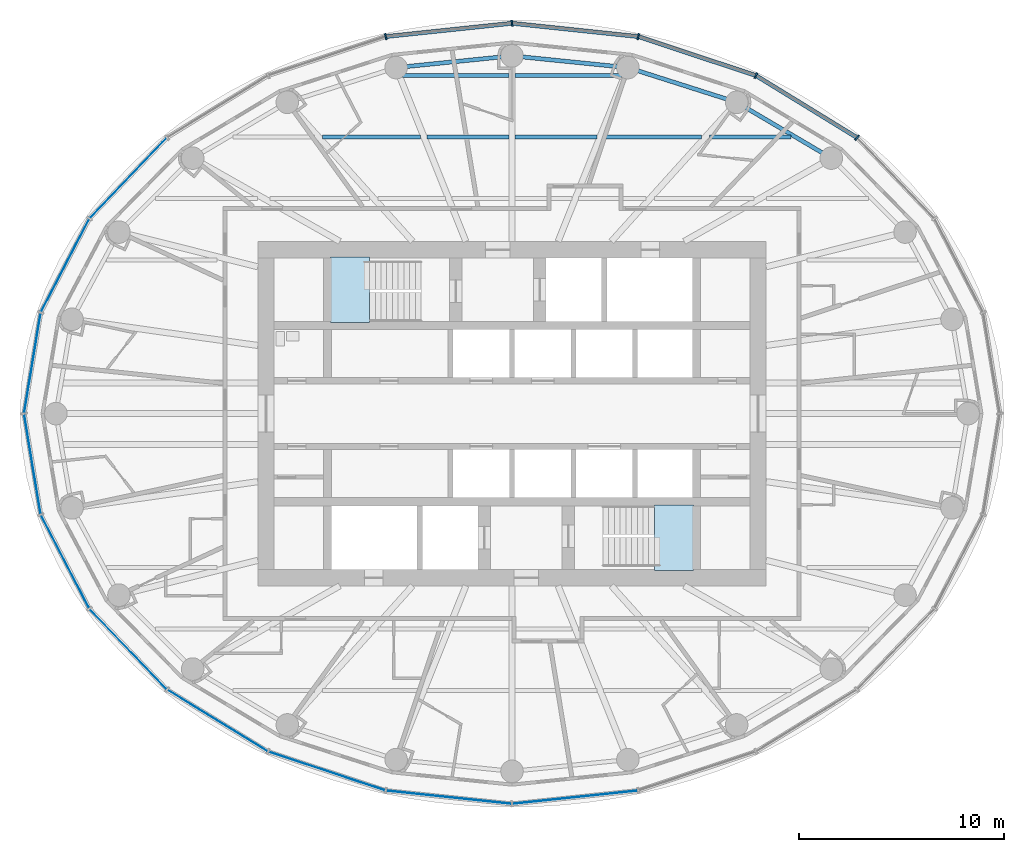
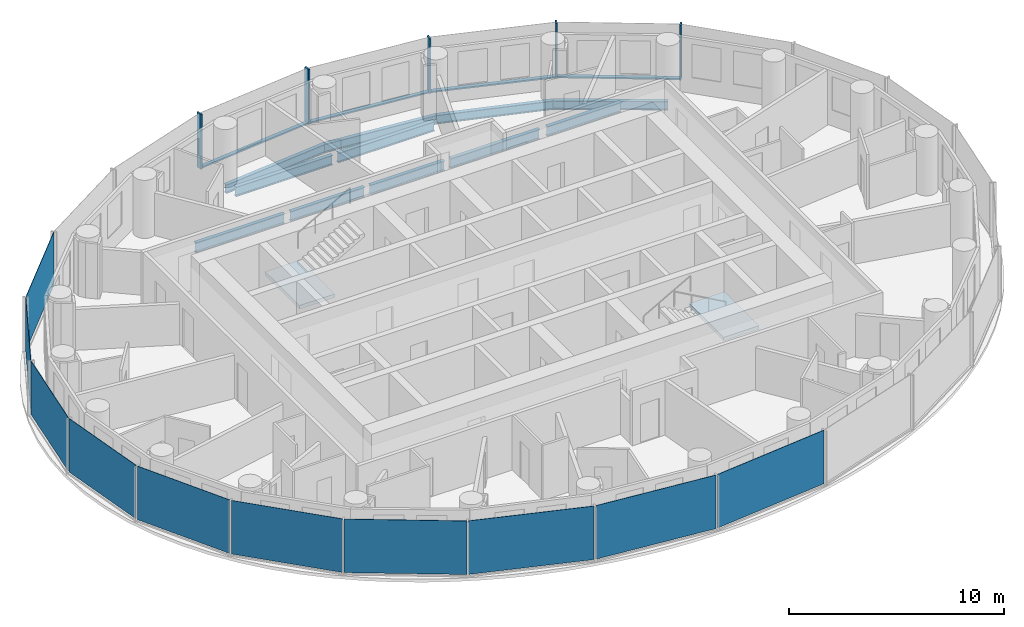
# One storey, part 4 of 14: 11 beams, 10 plates, 9 members, 2 slabs, 6 elements without a shape of their own.
"""IFC4 building model written with IfcOpenShell, lengths in metres."""

from ifc_helpers import new_model, si_unit, direction, frame, origin, origin_2d, place, context, subcontext, project, spatial, polyline, rectangle, i_section, outline, extrude, material, layer, layer_set, material_profile, profile_set, type_object, element, aggregate, save


model = new_model("IFC4")

# Units and contexts
model_context = context("Model", 3, precision=1e-05, world=origin(), true_north=direction((0.0, 1.0)))
body_context = subcontext(model_context, "Body", "Model", "MODEL_VIEW")
ifc_project = project(units=[si_unit("LENGTHUNIT", "METRE"), si_unit("AREAUNIT", "SQUARE_METRE"), si_unit("VOLUMEUNIT", "CUBIC_METRE"), si_unit("PLANEANGLEUNIT", "RADIAN"), si_unit("MASSUNIT", "GRAM", prefix="KILO")], contexts=[model_context])

# Site, building, storey
site_placement = place(None, origin())
site = spatial("IfcSite", under=ifc_project, at=site_placement, CompositionType="ELEMENT")
building_placement = place(site_placement, origin())
building = spatial("IfcBuilding", under=site, at=building_placement, Name="Hankou Lantern Tower", CompositionType="ELEMENT")
storey_placement = place(building_placement, frame((0.0, 0.0, 176.39990234375)))
storey = spatial("IfcBuildingStorey", under=building, at=storey_placement, Name="L47", CompositionType="ELEMENT", Elevation=176.39990234375)

# Beams
ifc_material_1 = material(Name="Steel Q355B", Category="steel")
ifc_material_profile_1 = material_profile(ifc_material_1, i_section(OverallWidth=0.199951171875, OverallDepth=0.5, WebThickness=0.010009765625, FlangeThickness=0.01611328125, FilletRadius=0.012939453125, at=origin_2d()), Name="HN500x200x10x16")
ifc_profile_set_1 = profile_set([ifc_material_profile_1], Name="Steel Q355B")
beam_type_1 = type_object("IfcBeamType", Name="EB5 RING BEAM HN500x200x10x16", PredefinedType="SPANDREL", material=ifc_profile_set_1)
beam_1_placement = place(storey_placement, frame((15.576171875, 12.4609375, -0.429931640625), z_axis=(-0.861135888339, 0.508374843806, 0.0), x_axis=(-0.508374843806, -0.861135888339, 0.0)))
element("IfcBeam", 1, at=beam_1_placement, inside=storey, type_object=beam_type_1, Name="Ring beam R04-R05 L47", PredefinedType="SPANDREL", context=body_context, shape_type="SweptSolid", body=[
    extrude(i_section(OverallWidth=0.199951171875, OverallDepth=0.5, WebThickness=0.010009765625, FlangeThickness=0.01611328125, FilletRadius=0.012939453125, at=origin_2d()), origin(), (0.0, 0.0, 1.0), 5.36083984375),
])
beam_2_placement = place(storey_placement, frame((10.959716796875, 15.186279296875, -0.429931640625), z_axis=(-0.952790404271, 0.30362879562, 0.0), x_axis=(-0.30362879562, -0.952790404271, 0.0)))
element("IfcBeam", 2, at=beam_2_placement, inside=storey, type_object=beam_type_1, Name="Ring beam R05-R06 L47", PredefinedType="SPANDREL", context=body_context, shape_type="SweptSolid", body=[
    extrude(i_section(OverallWidth=0.199951171875, OverallDepth=0.5, WebThickness=0.010009765625, FlangeThickness=0.01611328125, FilletRadius=0.012939453125, at=origin_2d()), origin(), (0.0, 0.0, 1.0), 5.56982421875),
])
for number, where, z_axis, x_axis, name in (
    (3, (5.65283203125, 16.87744140625, -0.429931640625), (-0.9949104636, 0.100762936734, 0.0), (-0.100762936734, -0.9949104636, 0.0), "Ring beam R06-R07 L47"),
    (4, (0.0, 17.449951171875, -0.429931640625), (-0.9949104636, -0.100762936734, 0.0), (0.100762936734, -0.9949104636, 0.0), "Ring beam R07-R08 L47"),
):
    element("IfcBeam", number, at=place(storey_placement, frame(where, z_axis=z_axis, x_axis=x_axis)), inside=storey, type_object=beam_type_1, Name=name, PredefinedType="SPANDREL", context=body_context, shape_type="SweptSolid", body=[
        extrude(i_section(OverallWidth=0.199951171875, OverallDepth=0.5, WebThickness=0.010009765625, FlangeThickness=0.01611328125, FilletRadius=0.012939453125, at=origin_2d()), origin(), (0.0, 0.0, 1.0), 5.681640625),
    ])

# Curtain wall, members
ifc_material_2 = material(Name="Glass, dark grey tinted laminated", Category="glass")
curtain_wall_type = type_object("IfcCurtainWallType", Name="CWC OUTER SKIN HIGH-RISE", PredefinedType="USERDEFINED", material=ifc_material_2)
curtain_wall_1_placement = place(storey_placement, origin())
curtain_wall_1 = element("IfcCurtainWall", 5, at=curtain_wall_1_placement, inside=storey, type_object=curtain_wall_type, Name="CWC L47 OS1", ObjectType="OUTER SKIN HIGH-RISE", PredefinedType="USERDEFINED")
ifc_material_3 = material(Name="Aluminium, black anodised", Category="aluminium")
ifc_material_profile_2 = material_profile(ifc_material_3, rectangle(XDim=0.080078125, YDim=0.300048828125, at=origin_2d()), Name="MU1 80X300")
ifc_profile_set_2 = profile_set([ifc_material_profile_2], Name="Aluminium, black anodised")
member_type_1 = type_object("IfcMemberType", Name="MU1 OUTER SKIN MULLION 80X300", PredefinedType="MULLION", material=ifc_profile_set_2)
member_1_placement = place(storey_placement, frame((16.8291015625, 13.46337890625, 0.0), z_axis=(0.0, 0.0, 1.0), x_axis=(-0.780868809444, 0.624695047553, 0.0)))
member_1 = element("IfcMember", 6, at=member_1_placement, type_object=member_type_1, Name="CWC mullion 4", PredefinedType="MULLION", context=body_context, shape_type="SweptSolid", body=[
    extrude(rectangle(XDim=0.080078125, YDim=0.300048828125, at=origin_2d()), origin(), (0.0, 0.0, 1.0), 3.1201171875),
])
member_2_placement = place(storey_placement, frame((11.89990234375, 16.489013671875, 0.0), z_axis=(0.0, 0.0, 1.0), x_axis=(-0.907841299004, 0.419313934686, 0.0)))
member_2 = element("IfcMember", 7, at=member_2_placement, type_object=member_type_1, Name="CWC mullion 5", PredefinedType="MULLION", context=body_context, shape_type="SweptSolid", body=[
    extrude(rectangle(XDim=0.080078125, YDim=0.300048828125, at=origin_2d()), origin(), (0.0, 0.0, 1.0), 3.1201171875),
])
member_3_placement = place(storey_placement, frame((6.159912109375, 18.39111328125, 0.0), z_axis=(0.0, 0.0, 1.0), x_axis=(-0.977787659625, 0.209597931016, 0.0)))
member_3 = element("IfcMember", 8, at=member_3_placement, type_object=member_type_1, Name="CWC mullion 6", PredefinedType="MULLION", context=body_context, shape_type="SweptSolid", body=[
    extrude(rectangle(XDim=0.080078125, YDim=0.300048828125, at=origin_2d()), origin(), (0.0, 0.0, 1.0), 3.1201171875),
])

curtain_wall_2_placement = place(storey_placement, origin())
curtain_wall_2 = element("IfcCurtainWall", 9, at=curtain_wall_2_placement, inside=storey, type_object=curtain_wall_type, Name="CWC L47 OS2", ObjectType="OUTER SKIN HIGH-RISE", PredefinedType="USERDEFINED")
member_4_placement = place(storey_placement, frame((0.0, 19.0400390625, 0.0), z_axis=(0.0, 0.0, 1.0), x_axis=(-0.994499359107, -0.104742659579, 0.0)))
member_4 = element("IfcMember", 10, at=member_4_placement, type_object=member_type_1, Name="CWC mullion 1", PredefinedType="MULLION", context=body_context, shape_type="SweptSolid", body=[
    extrude(rectangle(XDim=0.080078125, YDim=0.300048828125, at=origin_2d()), origin(), (0.0, 0.0, 1.0), 3.1201171875),
])
member_5_placement = place(storey_placement, frame((-6.159912109375, 18.39111328125, 0.0), z_axis=(0.0, 0.0, 1.0), x_axis=(-0.977787659625, -0.209597931016, 0.0)))
member_5 = element("IfcMember", 11, at=member_5_placement, type_object=member_type_1, Name="CWC mullion 2", PredefinedType="MULLION", context=body_context, shape_type="SweptSolid", body=[
    extrude(rectangle(XDim=0.080078125, YDim=0.300048828125, at=origin_2d()), origin(), (0.0, 0.0, 1.0), 3.1201171875),
])

# Beams
ifc_material_4 = material(Name="Steel Q355B", Category="steel")
ifc_material_profile_3 = material_profile(ifc_material_4, i_section(OverallWidth=0.199951171875, OverallDepth=0.550048828125, WebThickness=0.010009765625, FlangeThickness=0.01611328125, FilletRadius=0.012939453125, at=origin_2d()), Name="HN550x200x10x16")
ifc_profile_set_3 = profile_set([ifc_material_profile_3], Name="Steel Q355B")
beam_type_2 = type_object("IfcBeamType", Name="SB6 SECONDARY BEAM HN550x200x10x16", PredefinedType="JOIST", material=ifc_profile_set_3)
beam_3_placement = place(storey_placement, frame((-9.23974609375, 13.5, -0.454833984375), z_axis=(1.0, 0.0, 0.0), x_axis=(0.0, 1.0, 0.0)))
element("IfcBeam", 12, at=beam_3_placement, inside=storey, type_object=beam_type_2, Name="Floor joist J036 L47", PredefinedType="JOIST", context=body_context, shape_type="SweptSolid", body=[
    extrude(i_section(OverallWidth=0.199951171875, OverallDepth=0.550048828125, WebThickness=0.010009765625, FlangeThickness=0.01611328125, FilletRadius=0.012939453125, at=origin_2d()), origin(), (0.0, 0.0, 1.0), 4.780517578125),
])
for number, where, z_axis, x_axis, name in (
    (13, (-4.135986328125, 13.5, -0.454833984375), (1.0, 0.0, 0.0), (0.0, 1.0, 0.0), "Floor joist J037 L47"),
    (14, (0.14990234375, 13.5, -0.454833984375), (1.0, 0.0, 0.0), (0.0, 1.0, 0.0), "Floor joist J038 L47"),
):
    element("IfcBeam", number, at=place(storey_placement, frame(where, z_axis=z_axis, x_axis=x_axis)), inside=storey, type_object=beam_type_2, Name=name, PredefinedType="JOIST", context=body_context, shape_type="SweptSolid", body=[
        extrude(i_section(OverallWidth=0.199951171875, OverallDepth=0.550048828125, WebThickness=0.010009765625, FlangeThickness=0.01611328125, FilletRadius=0.012939453125, at=origin_2d()), origin(), (0.0, 0.0, 1.0), 3.986083984375),
    ])
beam_4_placement = place(storey_placement, frame((4.459228515625, 13.5, -0.454833984375), z_axis=(1.0, 0.0, 0.0), x_axis=(0.0, 1.0, 0.0)))
element("IfcBeam", 15, at=beam_4_placement, inside=storey, type_object=beam_type_2, Name="Floor joist J039 L47", PredefinedType="JOIST", context=body_context, shape_type="SweptSolid", body=[
    extrude(i_section(OverallWidth=0.199951171875, OverallDepth=0.550048828125, WebThickness=0.010009765625, FlangeThickness=0.01611328125, FilletRadius=0.012939453125, at=origin_2d()), origin(), (0.0, 0.0, 1.0), 4.780517578125),
])
beam_5_placement = place(storey_placement, frame((9.643310546875, 13.5, -0.454833984375), z_axis=(1.0, 0.0, 0.0), x_axis=(0.0, 1.0, 0.0)))
element("IfcBeam", 16, at=beam_5_placement, inside=storey, type_object=beam_type_2, Name="Floor joist J040 L47", PredefinedType="JOIST", context=body_context, shape_type="SweptSolid", body=[
    extrude(i_section(OverallWidth=0.199951171875, OverallDepth=0.550048828125, WebThickness=0.010009765625, FlangeThickness=0.01611328125, FilletRadius=0.012939453125, at=origin_2d()), origin(), (0.0, 0.0, 1.0), 3.97607421875),
])
for number, where, z_axis, x_axis, name in (
    (17, (-5.33984375, 16.5, -0.454833984375), (1.0, 0.0, 0.0), (0.0, 1.0, 0.0), "Floor joist J041 L47"),
    (18, (0.14990234375, 16.5, -0.454833984375), (1.0, 0.0, 0.0), (0.0, 1.0, 0.0), "Floor joist J042 L47"),
):
    element("IfcBeam", number, at=place(storey_placement, frame(where, z_axis=z_axis, x_axis=x_axis)), inside=storey, type_object=beam_type_2, Name=name, PredefinedType="JOIST", context=body_context, shape_type="SweptSolid", body=[
        extrude(i_section(OverallWidth=0.199951171875, OverallDepth=0.550048828125, WebThickness=0.010009765625, FlangeThickness=0.01611328125, FilletRadius=0.012939453125, at=origin_2d()), origin(), (0.0, 0.0, 1.0), 5.18994140625),
    ])

# Member
ifc_material_5 = material(Name="Aluminium, black anodised", Category="aluminium")
ifc_material_profile_4 = material_profile(ifc_material_5, rectangle(XDim=0.199951171875, YDim=0.080078125, at=origin_2d()), Name="TR1 200X80")
ifc_profile_set_4 = profile_set([ifc_material_profile_4], Name="Aluminium, black anodised")
member_type_2 = type_object("IfcMemberType", Name="TR1 OUTER SKIN TRANSOM 200X80", PredefinedType="USERDEFINED", material=ifc_profile_set_4)
member_6_placement = place(storey_placement, frame((16.795166015625, 13.484130859375, 0.0400390625), z_axis=(-0.852229482357, 0.523168146394, 0.0), x_axis=(-0.523168146394, -0.852229482357, 0.0)))
member_6 = element("IfcMember", 19, at=member_6_placement, type_object=member_type_2, Name="CWC transom 4", ObjectType="TRANSOM", PredefinedType="USERDEFINED", context=body_context, shape_type="SweptSolid", body=[
    extrude(rectangle(XDim=0.199951171875, YDim=0.080078125, at=origin_2d()), origin(), (0.0, 0.0, 1.0), 5.703857421875),
])

member_7_placement = place(storey_placement, frame((11.862060546875, 16.501708984375, 0.0400390625), z_axis=(-0.949242327551, 0.314545709849, 0.0), x_axis=(-0.314545709849, -0.949242327551, 0.0)))
member_7 = element("IfcMember", 20, at=member_7_placement, type_object=member_type_2, Name="CWC transom 5", ObjectType="TRANSOM", PredefinedType="USERDEFINED", context=body_context, shape_type="SweptSolid", body=[
    extrude(rectangle(XDim=0.199951171875, YDim=0.080078125, at=origin_2d()), origin(), (0.0, 0.0, 1.0), 5.96728515625),
])

member_8_placement = place(storey_placement, frame((6.1201171875, 18.3955078125, 0.0400390625), z_axis=(-0.994499543631, 0.104740907567, 0.0), x_axis=(-0.104740907567, -0.994499543631, 0.0)))
member_8 = element("IfcMember", 21, at=member_8_placement, type_object=member_type_2, Name="CWC transom 6", ObjectType="TRANSOM", PredefinedType="USERDEFINED", context=body_context, shape_type="SweptSolid", body=[
    extrude(rectangle(XDim=0.199951171875, YDim=0.080078125, at=origin_2d()), origin(), (0.0, 0.0, 1.0), 6.114013671875),
])

aggregate(curtain_wall_1, [member_1, member_2, member_3, member_6, member_7, member_8])

member_9_placement = place(storey_placement, frame((-0.039794921875, 19.035888671875, 0.0400390625), z_axis=(-0.994499543631, -0.104740907567, 0.0), x_axis=(0.104740907567, -0.994499543631, 0.0)))
member_9 = element("IfcMember", 22, at=member_9_placement, type_object=member_type_2, Name="CWC transom 1", ObjectType="TRANSOM", PredefinedType="USERDEFINED", context=body_context, shape_type="SweptSolid", body=[
    extrude(rectangle(XDim=0.199951171875, YDim=0.080078125, at=origin_2d()), origin(), (0.0, 0.0, 1.0), 6.114013671875),
])

# Plate
ifc_material_6 = material(Name="Glass, dark grey tinted laminated", Category="glass")
ifc_layer_1 = layer(ifc_material_6, 0.02392578125)
ifc_layer_set_1 = layer_set([ifc_layer_1], Name="Glass, dark grey tinted laminated")
plate_type = type_object("IfcPlateType", Name="PN1 OUTER SKIN GLASS PANEL", PredefinedType="CURTAIN_PANEL", material=ifc_layer_set_1)
plate_1_placement = place(storey_placement, frame((-18.72021484375, 11.49169921875, 0.080078125), z_axis=(0.0, 0.0, 1.0), x_axis=(-0.692215809936, -0.721690565599, 0.0)))
plate_1 = element("IfcPlate", 23, at=plate_1_placement, type_object=plate_type, Name="CWC glass panel 4", PredefinedType="CURTAIN_PANEL", context=body_context, shape_type="SweptSolid", body=[
    extrude(rectangle(XDim=5.384033203125, YDim=0.02392578125, at=origin_2d()), origin(), (0.0, 0.0, 1.0), 3.0400390625),
])

plate_2_placement = place(storey_placement, frame((-21.80029296875, 7.223876953125, 0.080078125), z_axis=(0.0, 0.0, 1.0), x_axis=(-0.459791091957, -0.888027112062, 0.0)))
plate_2 = element("IfcPlate", 24, at=plate_2_placement, type_object=plate_type, Name="CWC glass panel 5", PredefinedType="CURTAIN_PANEL", context=body_context, shape_type="SweptSolid", body=[
    extrude(rectangle(XDim=5.091064453125, YDim=0.02392578125, at=origin_2d()), origin(), (0.0, 0.0, 1.0), 3.0400390625),
])

plate_3_placement = place(storey_placement, frame((-23.39453125, 2.4638671875, 0.080078125), z_axis=(0.0, 0.0, 1.0), x_axis=(-0.162381515188, -0.986728049427, 0.0)))
plate_3 = element("IfcPlate", 25, at=plate_3_placement, type_object=plate_type, Name="CWC glass panel 6", PredefinedType="CURTAIN_PANEL", context=body_context, shape_type="SweptSolid", body=[
    extrude(rectangle(XDim=4.914306640625, YDim=0.02392578125, at=origin_2d()), origin(), (0.0, 0.0, 1.0), 3.0400390625),
])

aggregate(curtain_wall_2, [member_4, member_5, member_9, plate_1, plate_2, plate_3])

# Curtain wall, plates
curtain_wall_3_placement = place(storey_placement, origin())
curtain_wall_3 = element("IfcCurtainWall", 26, at=curtain_wall_3_placement, inside=storey, type_object=curtain_wall_type, Name="CWC L47 OS3", ObjectType="OUTER SKIN HIGH-RISE", PredefinedType="USERDEFINED")
plate_4_placement = place(storey_placement, frame((-23.39453125, -2.4638671875, 0.080078125), z_axis=(0.0, 0.0, 1.0), x_axis=(0.162381515188, -0.986728049427, 0.0)))
plate_4 = element("IfcPlate", 27, at=plate_4_placement, type_object=plate_type, Name="CWC glass panel 1", PredefinedType="CURTAIN_PANEL", context=body_context, shape_type="SweptSolid", body=[
    extrude(rectangle(XDim=4.914306640625, YDim=0.02392578125, at=origin_2d()), origin(), (0.0, 0.0, 1.0), 3.0400390625),
])
plate_5_placement = place(storey_placement, frame((-21.80029296875, -7.223876953125, 0.080078125), z_axis=(0.0, 0.0, 1.0), x_axis=(0.459791091957, -0.888027112062, 0.0)))
plate_5 = element("IfcPlate", 28, at=plate_5_placement, type_object=plate_type, Name="CWC glass panel 2", PredefinedType="CURTAIN_PANEL", context=body_context, shape_type="SweptSolid", body=[
    extrude(rectangle(XDim=5.091064453125, YDim=0.02392578125, at=origin_2d()), origin(), (0.0, 0.0, 1.0), 3.0400390625),
])
plate_6_placement = place(storey_placement, frame((-18.72021484375, -11.49169921875, 0.080078125), z_axis=(0.0, 0.0, 1.0), x_axis=(0.692215809936, -0.721690565599, 0.0)))
plate_6 = element("IfcPlate", 29, at=plate_6_placement, type_object=plate_type, Name="CWC glass panel 3", PredefinedType="CURTAIN_PANEL", context=body_context, shape_type="SweptSolid", body=[
    extrude(rectangle(XDim=5.384033203125, YDim=0.02392578125, at=origin_2d()), origin(), (0.0, 0.0, 1.0), 3.0400390625),
])
plate_7_placement = place(storey_placement, frame((-14.364501953125, -14.976318359375, 0.080078125), z_axis=(0.0, 0.0, 1.0), x_axis=(0.852237151549, -0.523155653242, 0.0)))
plate_7 = element("IfcPlate", 30, at=plate_7_placement, type_object=plate_type, Name="CWC glass panel 4", PredefinedType="CURTAIN_PANEL", context=body_context, shape_type="SweptSolid", body=[
    extrude(rectangle(XDim=5.703857421875, YDim=0.02392578125, at=origin_2d()), origin(), (0.0, 0.0, 1.0), 3.0400390625),
])
plate_8_placement = place(storey_placement, frame((-9.030029296875, -17.440185546875, 0.080078125), z_axis=(0.0, 0.0, 1.0), x_axis=(0.949240677293, -0.31455068999, 0.0)))
plate_8 = element("IfcPlate", 31, at=plate_8_placement, type_object=plate_type, Name="CWC glass panel 5", PredefinedType="CURTAIN_PANEL", context=body_context, shape_type="SweptSolid", body=[
    extrude(rectangle(XDim=5.967041015625, YDim=0.02392578125, at=origin_2d()), origin(), (0.0, 0.0, 1.0), 3.0400390625),
])
plate_9_placement = place(storey_placement, frame((-3.079833984375, -18.715576171875, 0.080078125), z_axis=(0.0, 0.0, 1.0), x_axis=(0.994499359107, -0.104742659579, 0.0)))
plate_9 = element("IfcPlate", 32, at=plate_9_placement, type_object=plate_type, Name="CWC glass panel 6", PredefinedType="CURTAIN_PANEL", context=body_context, shape_type="SweptSolid", body=[
    extrude(rectangle(XDim=6.114013671875, YDim=0.02392578125, at=origin_2d()), origin(), (0.0, 0.0, 1.0), 3.0400390625),
])
aggregate(curtain_wall_3, [plate_4, plate_5, plate_6, plate_7, plate_8, plate_9])

# Curtain wall, plate
curtain_wall_4_placement = place(storey_placement, origin())
curtain_wall_4 = element("IfcCurtainWall", 33, at=curtain_wall_4_placement, inside=storey, type_object=curtain_wall_type, Name="CWC L47 OS4", ObjectType="OUTER SKIN HIGH-RISE", PredefinedType="USERDEFINED")
plate_10_placement = place(storey_placement, frame((3.079833984375, -18.715576171875, 0.080078125), z_axis=(0.0, 0.0, 1.0), x_axis=(0.994499359107, 0.104742659579, 0.0)))
plate_10 = element("IfcPlate", 34, at=plate_10_placement, type_object=plate_type, Name="CWC glass panel 1", PredefinedType="CURTAIN_PANEL", context=body_context, shape_type="SweptSolid", body=[
    extrude(rectangle(XDim=6.114013671875, YDim=0.02392578125, at=origin_2d()), origin(), (0.0, 0.0, 1.0), 3.0400390625),
])
aggregate(curtain_wall_4, [plate_10])

# Stair, slab
ifc_material_7 = material(Name="Concrete C40", Category="concrete")
stair_type = type_object("IfcStairType", Name="ST33 CORE STAIR 3300 RISE", PredefinedType="HALF_TURN_STAIR", material=ifc_material_7)
stair_1_placement = place(storey_placement, origin())
stair_1 = element("IfcStair", 35, at=stair_1_placement, inside=storey, type_object=stair_type, Name="Stair STA L47", PredefinedType="HALF_TURN_STAIR")
ifc_material_8 = material(Name="Concrete C40", Category="concrete")
ifc_layer_2 = layer(ifc_material_8, 0.199951171875)
ifc_layer_set_2 = layer_set([ifc_layer_2], Name="Concrete C40")
slab_type = type_object("IfcSlabType", Name="SL1 STAIR LANDING 200", PredefinedType="LANDING", material=ifc_layer_set_2)
slab_1_placement = place(storey_placement, frame((0.0, 0.0, 1.37158203125)))
slab_1 = element("IfcSlab", 36, at=slab_1_placement, type_object=slab_type, Name="STA landing 1", PredefinedType="LANDING", context=body_context, shape_type="SweptSolid", body=[
    extrude(outline(polyline([(-8.85009765625, 4.449951171875), (-6.949951171875, 4.449951171875), (-6.949951171875, 7.64990234375), (-8.85009765625, 7.64990234375), (-8.85009765625, 4.449951171875)])), origin(), (0.0, 0.0, 1.0), 0.199951171875),
])
aggregate(stair_1, [slab_1])

stair_2_placement = place(storey_placement, origin())
stair_2 = element("IfcStair", 37, at=stair_2_placement, inside=storey, type_object=stair_type, Name="Stair STB L47", PredefinedType="HALF_TURN_STAIR")
slab_2_placement = place(storey_placement, frame((0.0, 0.0, 1.37158203125)))
slab_2 = element("IfcSlab", 38, at=slab_2_placement, type_object=slab_type, Name="STB landing 1", PredefinedType="LANDING", context=body_context, shape_type="SweptSolid", body=[
    extrude(outline(polyline([(8.85009765625, -4.449951171875), (6.949951171875, -4.449951171875), (6.949951171875, -7.64990234375), (8.85009765625, -7.64990234375), (8.85009765625, -4.449951171875)])), origin(), (0.0, 0.0, 1.0), 0.199951171875),
])
aggregate(stair_2, [slab_2])

save(model, "model.ifc")
